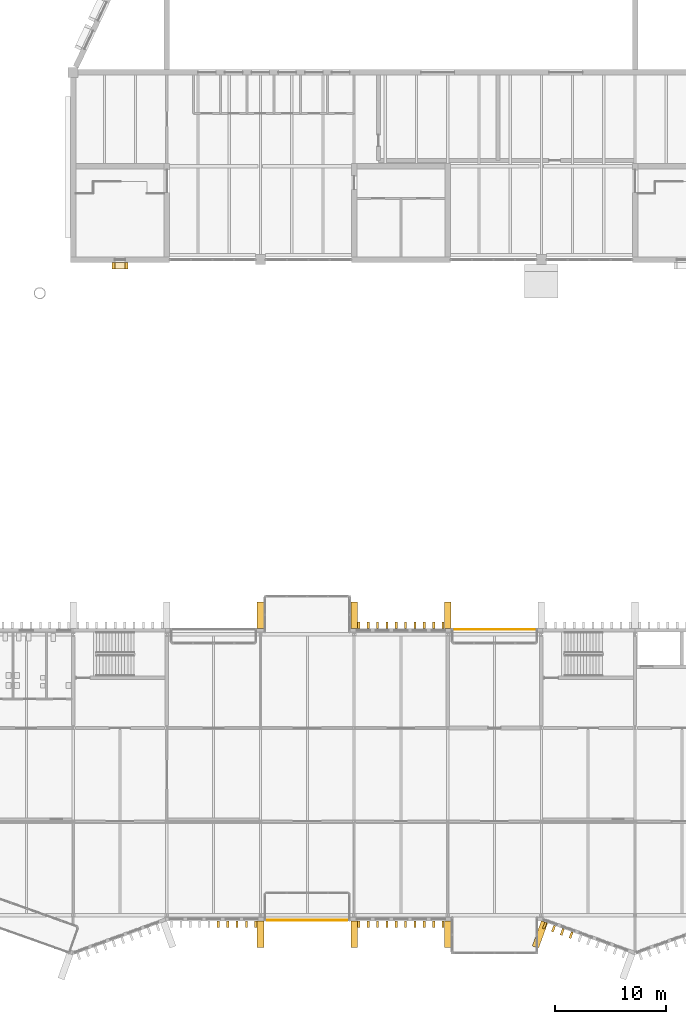
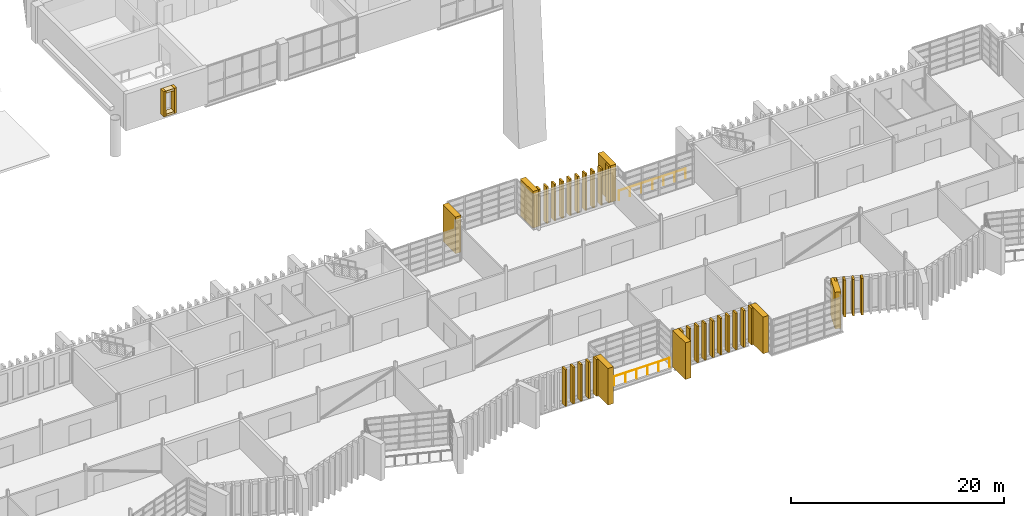
# One storey, part 79 of 88: 40 coverings, 2 railings.
"""IFC4 building model written with IfcOpenShell, lengths in metres."""

from ifc_helpers import new_model, si_unit, direction, frame, origin, origin_2d, place, context, subcontext, project, spatial, rectangle, circle, extrude, material, type_object, element, save


model = new_model("IFC4")

# Units and contexts
model_context = context("Model", 3, precision=1e-05, world=origin(), true_north=direction((0.0, 1.0)))
body_context = subcontext(model_context, "Body", "Model", "MODEL_VIEW")
ifc_project = project(units=[si_unit("LENGTHUNIT", "METRE"), si_unit("AREAUNIT", "SQUARE_METRE"), si_unit("VOLUMEUNIT", "CUBIC_METRE"), si_unit("PLANEANGLEUNIT", "RADIAN"), si_unit("MASSUNIT", "GRAM", prefix="KILO")], contexts=[model_context])

# Site, building, storey
site_placement = place(None, origin())
site = spatial("IfcSite", under=ifc_project, at=site_placement, CompositionType="ELEMENT")
building_placement = place(site_placement, origin())
building = spatial("IfcBuilding", under=site, at=building_placement, Name="Cresset Court Congress Hotel", CompositionType="ELEMENT")
storey_placement = place(building_placement, frame((0.0, 0.0, 14.39990234375)))
storey = spatial("IfcBuildingStorey", under=building, at=storey_placement, Name="L03", CompositionType="ELEMENT", Elevation=14.39990234375)

# Railings
ifc_material_1 = material(Name="Steel and laminated glass", Category="steel")
railing_type = type_object("IfcRailingType", Name="Guard 1100 steel and glass external", PredefinedType="GUARDRAIL", material=ifc_material_1)
for number, where, name in (
    (1, (76.199951171875, -0.449951171875, 0.0), "Guard to recess S0311"),
    (2, (93.0, 25.64990234375, 0.0), "Guard to recess N0331"),
):
    element("IfcRailing", number, at=place(storey_placement, frame(where)), inside=storey, type_object=railing_type, Name=name, PredefinedType="GUARDRAIL", context=body_context, shape_type="SweptSolid", body=[
        extrude(circle(Radius=0.02392578125, at=origin_2d()), frame((0.0, 0.0, 1.076171875), z_axis=(1.0, 0.0, 0.0), x_axis=(0.0, 1.0, 0.0)), (0.0, 0.0, 1.0), 7.199951171875),
        extrude(circle(Radius=0.02099609375, at=origin_2d()), origin(), (0.0, 0.0, 1.0), 1.052001953125),
        extrude(circle(Radius=0.02099609375, at=origin_2d()), frame((1.199951171875, 0.0, 0.0)), (0.0, 0.0, 1.0), 1.052001953125),
        extrude(circle(Radius=0.02099609375, at=origin_2d()), frame((2.39990234375, 0.0, 0.0)), (0.0, 0.0, 1.0), 1.052001953125),
        extrude(circle(Radius=0.02099609375, at=origin_2d()), frame((3.60009765625, 0.0, 0.0)), (0.0, 0.0, 1.0), 1.052001953125),
        extrude(circle(Radius=0.02099609375, at=origin_2d()), frame((4.800048828125, 0.0, 0.0)), (0.0, 0.0, 1.0), 1.052001953125),
        extrude(circle(Radius=0.02099609375, at=origin_2d()), frame((6.0, 0.0, 0.0)), (0.0, 0.0, 1.0), 1.052001953125),
        extrude(circle(Radius=0.02099609375, at=origin_2d()), frame((7.199951171875, 0.0, 0.0)), (0.0, 0.0, 1.0), 1.052001953125),
    ])

# Coverings
ifc_material_2 = material(Name="Precast concrete C50", Category="concrete")
covering_type_1 = type_object("IfcCoveringType", Name="Precast reveal frame member 250x600", PredefinedType="CLADDING", material=ifc_material_2)
for number, where, z_axis, x_axis, name in (
    (3, (63.574951171875, 58.25, 0.650146484375), (0.0, 0.0, 1.0), (1.0, 0.0, 0.0), "Reveal frame NC-03-C1a"),
    (4, (62.425048828125, 58.25, 0.650146484375), (0.0, 0.0, 1.0), (1.0, 0.0, 0.0), "Reveal frame NC-03-C1b"),
):
    element("IfcCovering", number, at=place(storey_placement, frame(where, z_axis=z_axis, x_axis=x_axis)), inside=storey, type_object=covering_type_1, Name=name, PredefinedType="CLADDING", context=body_context, shape_type="SweptSolid", body=[
        extrude(rectangle(XDim=0.25, YDim=0.60009765625, at=origin_2d()), origin(), (0.0, 0.0, 1.0), 2.89990234375),
    ])
for number, where, z_axis, x_axis, name in (
    (5, (63.0, 58.25, 3.300048828125), (0.0, 0.0, 1.0), (1.0, 0.0, 0.0), "Reveal frame NC-03-C1c"),
    (6, (63.0, 58.25, 0.650146484375), (0.0, 0.0, 1.0), (1.0, 0.0, 0.0), "Reveal frame NC-03-C1d"),
):
    element("IfcCovering", number, at=place(storey_placement, frame(where, z_axis=z_axis, x_axis=x_axis)), inside=storey, type_object=covering_type_1, Name=name, PredefinedType="CLADDING", context=body_context, shape_type="SweptSolid", body=[
        extrude(rectangle(XDim=0.89990234375, YDim=0.60009765625, at=origin_2d()), origin(), (0.0, 0.0, 1.0), 0.25),
    ])
ifc_material_3 = material(Name="Precast concrete C50", Category="concrete")
covering_type_2 = type_object("IfcCoveringType", Name="Precast stone fin 200x600 variant 1", PredefinedType="CLADDING", material=ifc_material_3)
for number, where, z_axis, x_axis, name in (
    (7, (101.09228515625, -0.92529296875, 0.0), (0.0, 0.0, 1.0), (0.939956783309, -0.341293488819, 0.0), "Fin S03-110"),
    (8, (101.8818359375, -1.2119140625, 0.0), (0.0, 0.0, 1.0), (0.939956783309, -0.341293488819, 0.0), "Fin S03-111"),
    (9, (102.671630859375, -1.498779296875, 0.0), (0.0, 0.0, 1.0), (0.939956783309, -0.341293488819, 0.0), "Fin S03-112"),
    (10, (103.461181640625, -1.785400390625, 0.0), (0.0, 0.0, 1.0), (0.939956783309, -0.341293488819, 0.0), "Fin S03-113"),
    (11, (71.820068359375, -0.800048828125, 0.0), (0.0, 0.0, 1.0), (1.0, 0.0, 0.0), "Fin S03-075"),
    (12, (72.659912109375, -0.800048828125, 0.0), (0.0, 0.0, 1.0), (1.0, 0.0, 0.0), "Fin S03-076"),
    (13, (73.5, -0.800048828125, 0.0), (0.0, 0.0, 1.0), (1.0, 0.0, 0.0), "Fin S03-077"),
    (14, (74.340087890625, -0.800048828125, 0.0), (0.0, 0.0, 1.0), (1.0, 0.0, 0.0), "Fin S03-078"),
    (15, (75.179931640625, -0.800048828125, 0.0), (0.0, 0.0, 1.0), (1.0, 0.0, 0.0), "Fin S03-079"),
    (16, (84.419921875, -0.800048828125, 0.0), (0.0, 0.0, 1.0), (1.0, 0.0, 0.0), "Fin S03-090"),
    (17, (85.260009765625, -0.800048828125, 0.0), (0.0, 0.0, 1.0), (1.0, 0.0, 0.0), "Fin S03-091"),
    (18, (86.10009765625, -0.800048828125, 0.0), (0.0, 0.0, 1.0), (1.0, 0.0, 0.0), "Fin S03-092"),
    (19, (86.93994140625, -0.800048828125, 0.0), (0.0, 0.0, 1.0), (1.0, 0.0, 0.0), "Fin S03-093"),
    (20, (87.780029296875, -0.800048828125, 0.0), (0.0, 0.0, 1.0), (1.0, 0.0, 0.0), "Fin S03-094"),
    (21, (88.6201171875, -0.800048828125, 0.0), (0.0, 0.0, 1.0), (1.0, 0.0, 0.0), "Fin S03-095"),
    (22, (89.4599609375, -0.800048828125, 0.0), (0.0, 0.0, 1.0), (1.0, 0.0, 0.0), "Fin S03-096"),
    (23, (90.300048828125, -0.800048828125, 0.0), (0.0, 0.0, 1.0), (1.0, 0.0, 0.0), "Fin S03-097"),
    (24, (91.139892578125, -0.800048828125, 0.0), (0.0, 0.0, 1.0), (1.0, 0.0, 0.0), "Fin S03-098"),
    (25, (91.97998046875, -0.800048828125, 0.0), (0.0, 0.0, 1.0), (1.0, 0.0, 0.0), "Fin S03-099"),
    (26, (84.419921875, 26.0, 0.0), (0.0, 0.0, 1.0), (1.0, 0.0, 0.0), "Fin N03-090"),
    (27, (85.260009765625, 26.0, 0.0), (0.0, 0.0, 1.0), (1.0, 0.0, 0.0), "Fin N03-091"),
    (28, (86.10009765625, 26.0, 0.0), (0.0, 0.0, 1.0), (1.0, 0.0, 0.0), "Fin N03-092"),
    (29, (86.93994140625, 26.0, 0.0), (0.0, 0.0, 1.0), (1.0, 0.0, 0.0), "Fin N03-093"),
    (30, (87.780029296875, 26.0, 0.0), (0.0, 0.0, 1.0), (1.0, 0.0, 0.0), "Fin N03-094"),
    (31, (88.6201171875, 26.0, 0.0), (0.0, 0.0, 1.0), (1.0, 0.0, 0.0), "Fin N03-095"),
    (32, (89.4599609375, 26.0, 0.0), (0.0, 0.0, 1.0), (1.0, 0.0, 0.0), "Fin N03-096"),
    (33, (90.300048828125, 26.0, 0.0), (0.0, 0.0, 1.0), (1.0, 0.0, 0.0), "Fin N03-097"),
    (34, (91.139892578125, 26.0, 0.0), (0.0, 0.0, 1.0), (1.0, 0.0, 0.0), "Fin N03-098"),
    (35, (91.97998046875, 26.0, 0.0), (0.0, 0.0, 1.0), (1.0, 0.0, 0.0), "Fin N03-099"),
):
    element("IfcCovering", number, at=place(storey_placement, frame(where, z_axis=z_axis, x_axis=x_axis)), inside=storey, type_object=covering_type_2, Name=name, PredefinedType="CLADDING", context=body_context, shape_type="SweptSolid", body=[
        extrude(rectangle(XDim=0.199951171875, YDim=0.60009765625, at=origin_2d()), origin(), (0.0, 0.0, 1.0), 4.199951171875),
    ])
ifc_material_4 = material(Name="Precast concrete C50", Category="concrete")
covering_type_3 = type_object("IfcCoveringType", Name="Precast stone pier 600x2400", PredefinedType="CLADDING", material=ifc_material_4)
for number, where, z_axis, x_axis, name in (
    (36, (100.67236328125, -1.730224609375, 0.0), (0.0, 0.0, 1.0), (0.939956783309, -0.341293488819, 0.0), "Pier S03-11"),
    (37, (75.60009765625, -1.699951171875, 0.0), (0.0, 0.0, 1.0), (1.0, 0.0, 0.0), "Pier S03-08"),
    (38, (84.0, -1.699951171875, 0.0), (0.0, 0.0, 1.0), (1.0, 0.0, 0.0), "Pier S03-09"),
    (39, (92.39990234375, -1.699951171875, 0.0), (0.0, 0.0, 1.0), (1.0, 0.0, 0.0), "Pier S03-10"),
    (40, (75.60009765625, 26.89990234375, 0.0), (0.0, 0.0, 1.0), (1.0, 0.0, 0.0), "Pier N03-08"),
    (41, (84.0, 26.89990234375, 0.0), (0.0, 0.0, 1.0), (1.0, 0.0, 0.0), "Pier N03-09"),
    (42, (92.39990234375, 26.89990234375, 0.0), (0.0, 0.0, 1.0), (1.0, 0.0, 0.0), "Pier N03-10"),
):
    element("IfcCovering", number, at=place(storey_placement, frame(where, z_axis=z_axis, x_axis=x_axis)), inside=storey, type_object=covering_type_3, Name=name, PredefinedType="CLADDING", context=body_context, shape_type="SweptSolid", body=[
        extrude(rectangle(XDim=0.60009765625, YDim=2.39990234375, at=origin_2d()), origin(), (0.0, 0.0, 1.0), 4.199951171875),
    ])

save(model, "model.ifc")
